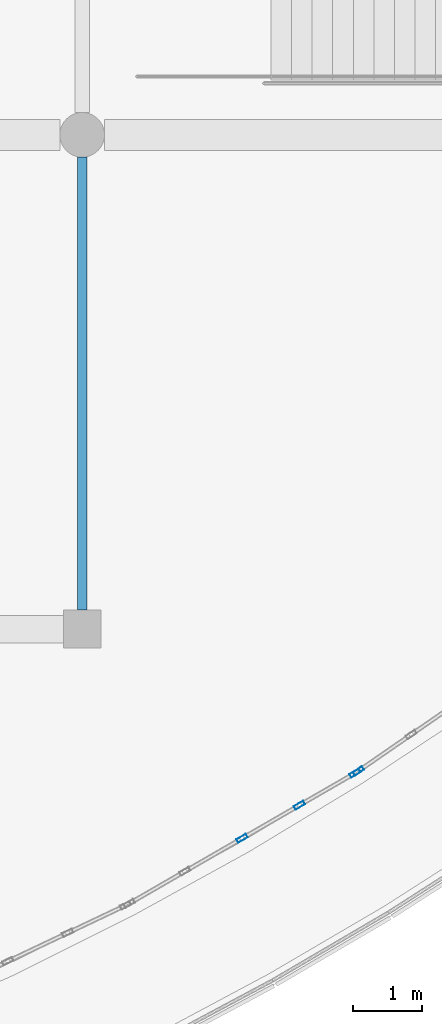
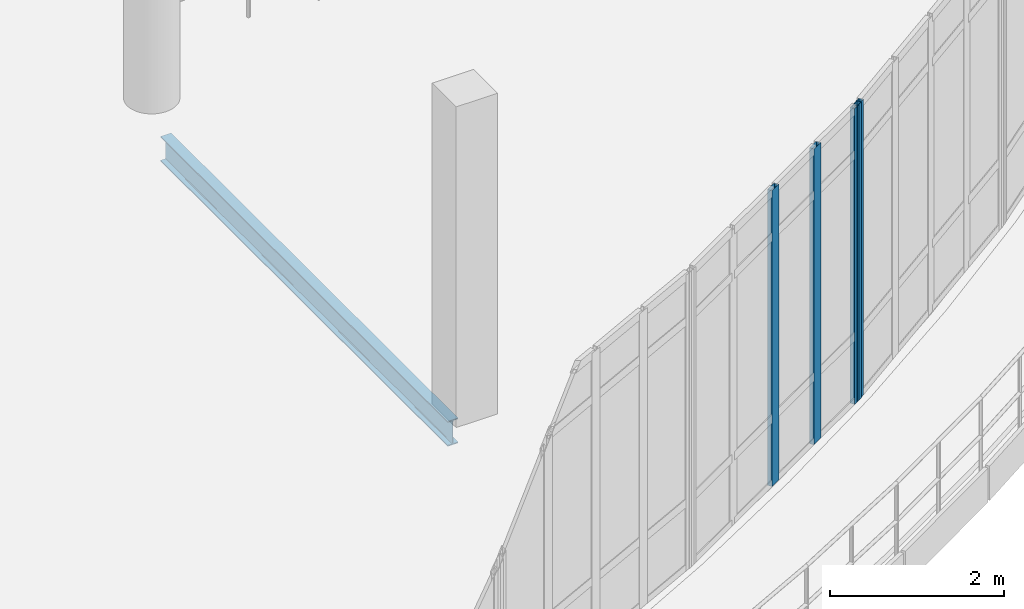
# One storey, part 37 of 124: 4 members, 1 beam, 2 elements without a shape of their own.
"""IFC4 building model written with IfcOpenShell, lengths in metres."""

from ifc_helpers import new_model, si_unit, direction, frame, origin, origin_2d, place, context, subcontext, project, spatial, hollow_rectangle, i_section, extrude, material, material_profile, profile_set, type_object, element, aggregate, save


model = new_model("IFC4")

# Units and contexts
model_context = context("Model", 3, precision=1e-05, world=origin(), true_north=direction((0.0, 1.0)))
body_context = subcontext(model_context, "Body", "Model", "MODEL_VIEW")
ifc_project = project(units=[si_unit("LENGTHUNIT", "METRE"), si_unit("AREAUNIT", "SQUARE_METRE"), si_unit("VOLUMEUNIT", "CUBIC_METRE"), si_unit("PLANEANGLEUNIT", "RADIAN"), si_unit("MASSUNIT", "GRAM", prefix="KILO")], contexts=[model_context])

# Site, building, storey
site_placement = place(None, origin())
site = spatial("IfcSite", under=ifc_project, at=site_placement, CompositionType="ELEMENT")
building_placement = place(site_placement, origin())
building = spatial("IfcBuilding", under=site, at=building_placement, Name="Kalluvel Institute of Natural Sciences", CompositionType="ELEMENT")
storey_placement = place(building_placement, frame((0.0, 0.0, 9.89990234375)))
storey = spatial("IfcBuildingStorey", under=building, at=storey_placement, Name="L02", CompositionType="ELEMENT", Elevation=9.89990234375)

# Beam
ifc_material_1 = material(Name="Steel E350 Grade 350", Category="steel")
ifc_material_profile_1 = material_profile(ifc_material_1, i_section(OverallWidth=0.139892578125, OverallDepth=0.35009765625, WebThickness=0.008056640625, FlangeThickness=0.01416015625, FilletRadius=0.013916015625, at=origin_2d()), Name="ISMB 350")
ifc_profile_set_1 = profile_set([ifc_material_profile_1], Name="Steel E350 Grade 350")
beam_type = type_object("IfcBeamType", Name="BM-ISMB350", PredefinedType="BEAM", material=ifc_profile_set_1)
beam_placement = place(storey_placement, frame((57.199951171875, 64.675048828125, -0.494873046875), z_axis=(0.0, 1.0, 0.0), x_axis=(-1.0, 0.0, 0.0)))
element("IfcBeam", 1, at=beam_placement, inside=storey, type_object=beam_type, Name="L02 girder GIR-L02-NS-X572-Y644", PredefinedType="BEAM", context=body_context, shape_type="SweptSolid", body=[
    extrude(i_section(OverallWidth=0.139892578125, OverallDepth=0.35009765625, WebThickness=0.008056640625, FlangeThickness=0.01416015625, FilletRadius=0.013916015625, at=origin_2d()), origin(), (0.0, 0.0, 1.0), 6.599853515625),
])

# Curtain wall, members
ifc_material_2 = material(Name="Aluminium AW-6063 T6", Category="aluminium")
curtain_wall_type = type_object("IfcCurtainWallType", Name="CW-ATR-ARC", PredefinedType="USERDEFINED", material=ifc_material_2)
curtain_wall_1_placement = place(storey_placement, origin())
curtain_wall_1 = element("IfcCurtainWall", 2, at=curtain_wall_1_placement, inside=storey, type_object=curtain_wall_type, Name="L02 Gothic lancet curtain wall CWA-L02-X579-Y604", ObjectType="UNITISED LANCET FACADE", PredefinedType="USERDEFINED")
ifc_material_profile_2 = material_profile(ifc_material_2, hollow_rectangle(XDim=0.06005859375, YDim=0.159912109375, WallThickness=0.00390625, at=origin_2d()), Name="CWM 60x160")
ifc_profile_set_2 = profile_set([ifc_material_profile_2], Name="Aluminium AW-6063 T6")
member_type = type_object("IfcMemberType", Name="CWM-60x160", PredefinedType="MULLION", material=ifc_profile_set_2)
member_1_placement = place(storey_placement, frame((59.530517578125, 61.35107421875, 0.0), z_axis=(0.0, 0.0, 1.0), x_axis=(-0.499989492276, 0.866031470337, 0.0)))
member_1 = element("IfcMember", 3, at=member_1_placement, type_object=member_type, Name="CW-05 mullion 3", PredefinedType="MULLION", context=body_context, shape_type="SweptSolid", body=[
    extrude(hollow_rectangle(XDim=0.06005859375, YDim=0.159912109375, WallThickness=0.00390625, at=origin_2d()), origin(), (0.0, 0.0, 1.0), 4.150146484375),
])
member_2_placement = place(storey_placement, frame((60.36572265625, 61.833251953125, 0.0), z_axis=(0.0, 0.0, 1.0), x_axis=(-0.499989492276, 0.866031470337, 0.0)))
member_2 = element("IfcMember", 4, at=member_2_placement, type_object=member_type, Name="CW-05 mullion 4", PredefinedType="MULLION", context=body_context, shape_type="SweptSolid", body=[
    extrude(hollow_rectangle(XDim=0.06005859375, YDim=0.159912109375, WallThickness=0.00390625, at=origin_2d()), origin(), (0.0, 0.0, 1.0), 4.150146484375),
])
member_3_placement = place(storey_placement, frame((61.1748046875, 62.30029296875, 0.0), z_axis=(0.0, 0.0, 1.0), x_axis=(-0.499989492276, 0.866031470337, 0.0)))
member_3 = element("IfcMember", 5, at=member_3_placement, type_object=member_type, Name="CW-05 mullion 5", PredefinedType="MULLION", context=body_context, shape_type="SweptSolid", body=[
    extrude(hollow_rectangle(XDim=0.06005859375, YDim=0.159912109375, WallThickness=0.00390625, at=origin_2d()), origin(), (0.0, 0.0, 1.0), 4.150146484375),
])
aggregate(curtain_wall_1, [member_1, member_2, member_3])

# Curtain wall, member
curtain_wall_2_placement = place(storey_placement, origin())
curtain_wall_2 = element("IfcCurtainWall", 6, at=curtain_wall_2_placement, inside=storey, type_object=curtain_wall_type, Name="L02 Gothic lancet curtain wall CWA-L02-X612-Y623", ObjectType="UNITISED LANCET FACADE", PredefinedType="USERDEFINED")
member_4_placement = place(storey_placement, frame((61.2255859375, 62.33251953125, 0.0), z_axis=(0.0, 0.0, 1.0), x_axis=(-0.568058217049, 0.822988372969, 0.0)))
member_4 = element("IfcMember", 7, at=member_4_placement, type_object=member_type, Name="CW-05 mullion 1", PredefinedType="MULLION", context=body_context, shape_type="SweptSolid", body=[
    extrude(hollow_rectangle(XDim=0.06005859375, YDim=0.159912109375, WallThickness=0.00390625, at=origin_2d()), origin(), (0.0, 0.0, 1.0), 4.150146484375),
])
aggregate(curtain_wall_2, [member_4])

save(model, "model.ifc")
